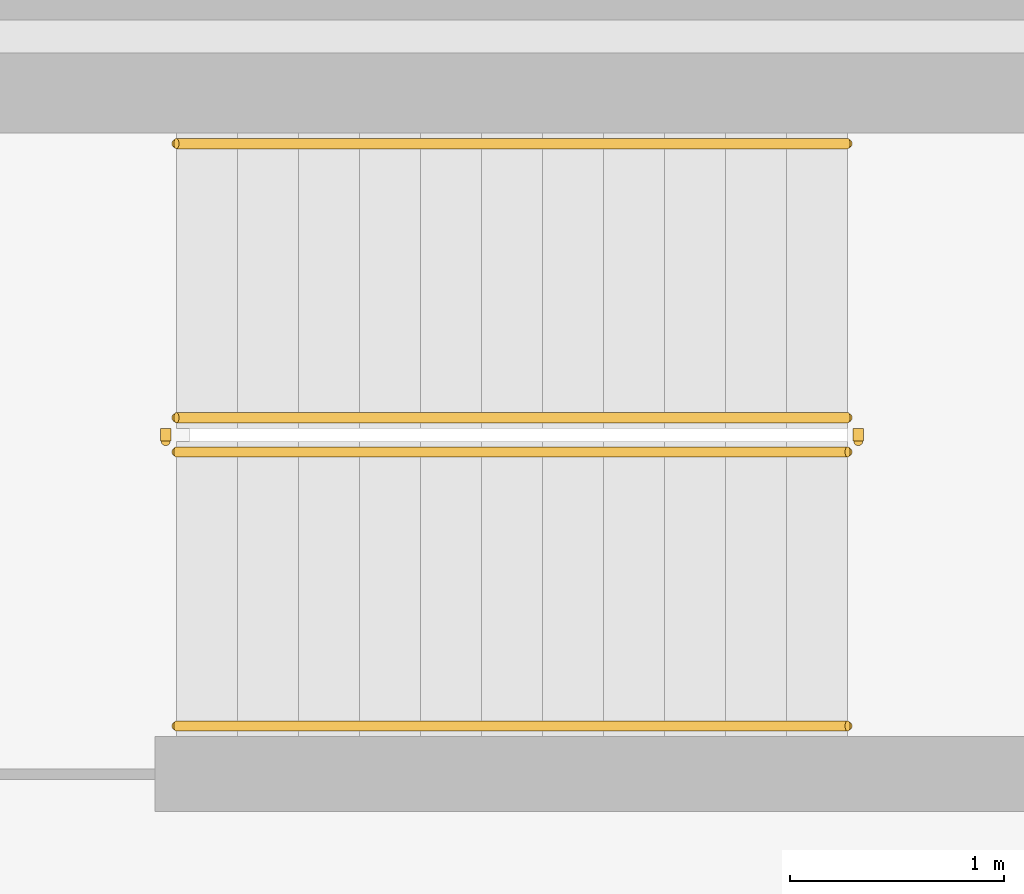
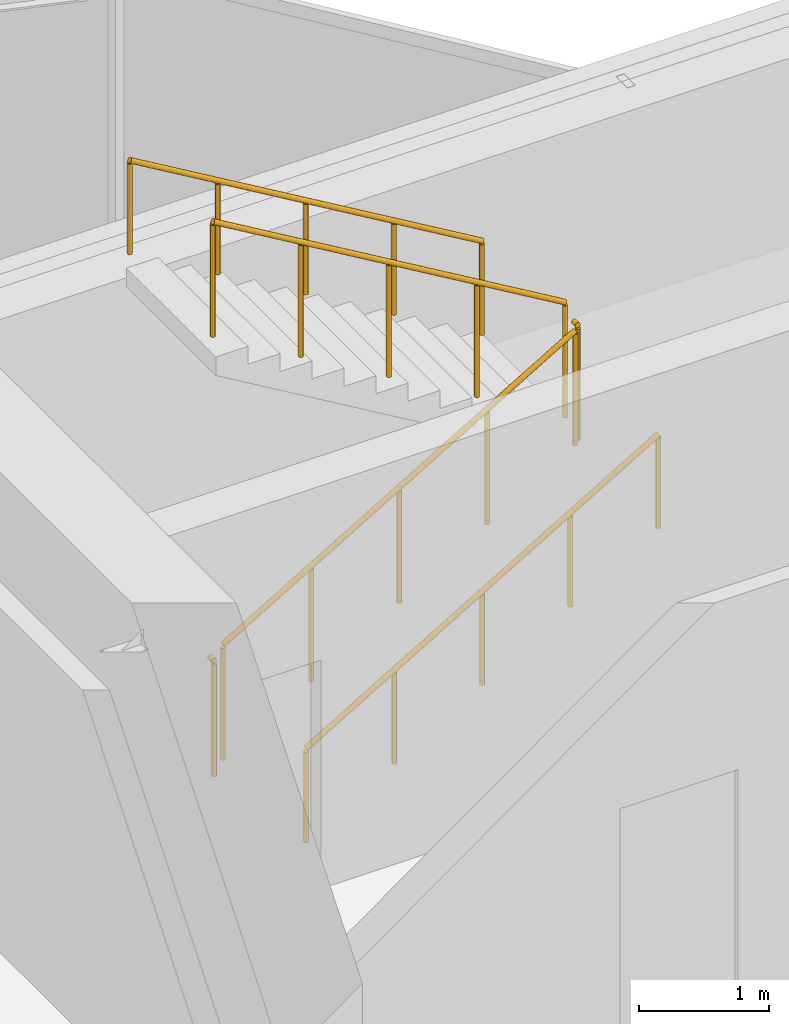
# One storey, part 21 of 21: 6 railings.
"""IFC4 building model written with IfcOpenShell, lengths in metres."""

from ifc_helpers import new_model, si_unit, direction, frame, origin, origin_2d, place, context, subcontext, project, spatial, circle, extrude, material, type_object, element, save


model = new_model("IFC4")

# Units and contexts
model_context = context("Model", 3, precision=1e-05, world=origin(), true_north=direction((0.0, 1.0)))
body_context = subcontext(model_context, "Body", "Model", "MODEL_VIEW")
ifc_project = project(units=[si_unit("LENGTHUNIT", "METRE"), si_unit("AREAUNIT", "SQUARE_METRE"), si_unit("VOLUMEUNIT", "CUBIC_METRE"), si_unit("PLANEANGLEUNIT", "RADIAN"), si_unit("MASSUNIT", "GRAM", prefix="KILO")], contexts=[model_context])

# Site, building, storey
site_placement = place(None, origin())
site = spatial("IfcSite", under=ifc_project, at=site_placement, CompositionType="ELEMENT")
building_placement = place(site_placement, origin())
building = spatial("IfcBuilding", under=site, at=building_placement, Name="Veymaron Broadcast Tower", CompositionType="ELEMENT")
storey_placement = place(building_placement, frame((0.0, 0.0, 240.449951171875)))
storey = spatial("IfcBuildingStorey", under=building, at=storey_placement, Name="L56", CompositionType="ELEMENT", Elevation=240.449951171875)

# Railings
ifc_material_1 = material(Name="Brushed stainless steel AISI 304", Category="steel")
railing_type_1 = type_object("IfcRailingType", Name="RAIL-STAIR-HR", PredefinedType="HANDRAIL", material=ifc_material_1)
railing_1_placement = place(storey_placement, frame((41.429931640625, 28.780029296875, 0.168701171875)))
element("IfcRailing", 1, at=railing_1_placement, inside=storey, type_object=railing_type_1, Name="L56 ST1 stair handrail 1", PredefinedType="HANDRAIL", context=body_context, shape_type="SweptSolid", body=[
    extrude(circle(Radius=0.02392578125, at=origin_2d()), frame((0.0, 0.0, 0.8759765625), z_axis=(0.860452582533, 0.0, 0.509530522356), x_axis=(0.0, 1.0, 0.0)), (0.0, 0.0, 1.0), 3.6435546875),
    extrude(circle(Radius=0.02099609375, at=origin_2d()), origin(), (0.0, 0.0, 1.0), 0.851806640625),
    extrude(circle(Radius=0.02099609375, at=origin_2d()), frame((0.78369140625, 0.0, 0.464111328125)), (0.0, 0.0, 1.0), 0.851806640625),
    extrude(circle(Radius=0.02099609375, at=origin_2d()), frame((1.5673828125, 0.0, 0.92822265625)), (0.0, 0.0, 1.0), 0.851806640625),
    extrude(circle(Radius=0.02099609375, at=origin_2d()), frame((2.351318359375, 0.0, 1.392333984375)), (0.0, 0.0, 1.0), 0.851806640625),
    extrude(circle(Radius=0.02099609375, at=origin_2d()), frame((3.135009765625, 0.0, 1.8564453125)), (0.0, 0.0, 1.0), 0.851806640625),
])
railing_2_placement = place(storey_placement, frame((44.56494140625, 31.5, 2.19384765625)))
element("IfcRailing", 2, at=railing_2_placement, inside=storey, type_object=railing_type_1, Name="L56 ST1 stair handrail 2", PredefinedType="HANDRAIL", context=body_context, shape_type="SweptSolid", body=[
    extrude(circle(Radius=0.02392578125, at=origin_2d()), frame((0.0, 0.0, 0.8759765625), z_axis=(-0.860481960309, 0.0, 0.509480908359), x_axis=(0.0, -1.0, 0.0)), (0.0, 0.0, 1.0), 3.643310546875),
    extrude(circle(Radius=0.02099609375, at=origin_2d()), origin(), (0.0, 0.0, 1.0), 0.851806640625),
    extrude(circle(Radius=0.02099609375, at=origin_2d()), frame((-0.78369140625, 0.0, 0.464111328125)), (0.0, 0.0, 1.0), 0.851806640625),
    extrude(circle(Radius=0.02099609375, at=origin_2d()), frame((-1.5673828125, 0.0, 0.92822265625)), (0.0, 0.0, 1.0), 0.851806640625),
    extrude(circle(Radius=0.02099609375, at=origin_2d()), frame((-2.351318359375, 0.0, 1.39208984375)), (0.0, 0.0, 1.0), 0.851806640625),
    extrude(circle(Radius=0.02099609375, at=origin_2d()), frame((-3.135009765625, 0.0, 1.856201171875)), (0.0, 0.0, 1.0), 0.851806640625),
])
ifc_material_2 = material(Name="Painted galvanized steel balustrade", Category="steel")
railing_type_2 = type_object("IfcRailingType", Name="RAIL-WELL-GRD", PredefinedType="GUARDRAIL", material=ifc_material_2)
railing_3_placement = place(storey_placement, frame((41.429931640625, 30.06005859375, 0.168701171875)))
element("IfcRailing", 3, at=railing_3_placement, inside=storey, type_object=railing_type_2, Name="L56 ST1 stair guard 1", PredefinedType="GUARDRAIL", context=body_context, shape_type="SweptSolid", body=[
    extrude(circle(Radius=0.02392578125, at=origin_2d()), frame((0.0, 0.0, 1.076171875), z_axis=(0.860452582533, 0.0, 0.509530522356), x_axis=(0.0, 1.0, 0.0)), (0.0, 0.0, 1.0), 3.6435546875),
    extrude(circle(Radius=0.02099609375, at=origin_2d()), origin(), (0.0, 0.0, 1.0), 1.052001953125),
    extrude(circle(Radius=0.02099609375, at=origin_2d()), frame((0.78369140625, 0.0, 0.464111328125)), (0.0, 0.0, 1.0), 1.052001953125),
    extrude(circle(Radius=0.02099609375, at=origin_2d()), frame((1.5673828125, 0.0, 0.92822265625)), (0.0, 0.0, 1.0), 1.052001953125),
    extrude(circle(Radius=0.02099609375, at=origin_2d()), frame((2.351318359375, 0.0, 1.392333984375)), (0.0, 0.0, 1.0), 1.052001953125),
    extrude(circle(Radius=0.02099609375, at=origin_2d()), frame((3.135009765625, 0.0, 1.8564453125)), (0.0, 0.0, 1.0), 1.052001953125),
])
railing_4_placement = place(storey_placement, frame((44.614990234375, 30.110107421875, 2.025146484375)))
element("IfcRailing", 4, at=railing_4_placement, inside=storey, type_object=railing_type_2, Name="L56 ST1 stair guard 2", PredefinedType="GUARDRAIL", context=body_context, shape_type="SweptSolid", body=[
    extrude(circle(Radius=0.02392578125, at=origin_2d()), frame((0.0, 0.0, 1.076171875), z_axis=(0.0, 1.0, 0.0), x_axis=(-1.0, 0.0, 0.0)), (0.0, 0.0, 1.0), 0.059814453125),
    extrude(circle(Radius=0.02099609375, at=origin_2d()), origin(), (0.0, 0.0, 1.0), 1.052001953125),
])
railing_5_placement = place(storey_placement, frame((44.56494140625, 30.219970703125, 2.19384765625)))
element("IfcRailing", 5, at=railing_5_placement, inside=storey, type_object=railing_type_2, Name="L56 ST1 stair guard 3", PredefinedType="GUARDRAIL", context=body_context, shape_type="SweptSolid", body=[
    extrude(circle(Radius=0.02392578125, at=origin_2d()), frame((0.0, 0.0, 1.076171875), z_axis=(-0.860481960309, 0.0, 0.509480908359), x_axis=(0.0, -1.0, 0.0)), (0.0, 0.0, 1.0), 3.643310546875),
    extrude(circle(Radius=0.02099609375, at=origin_2d()), origin(), (0.0, 0.0, 1.0), 1.052001953125),
    extrude(circle(Radius=0.02099609375, at=origin_2d()), frame((-0.78369140625, 0.0, 0.464111328125)), (0.0, 0.0, 1.0), 1.052001953125),
    extrude(circle(Radius=0.02099609375, at=origin_2d()), frame((-1.5673828125, 0.0, 0.92822265625)), (0.0, 0.0, 1.0), 1.052001953125),
    extrude(circle(Radius=0.02099609375, at=origin_2d()), frame((-2.351318359375, 0.0, 1.39208984375)), (0.0, 0.0, 1.0), 1.052001953125),
    extrude(circle(Radius=0.02099609375, at=origin_2d()), frame((-3.135009765625, 0.0, 1.856201171875)), (0.0, 0.0, 1.0), 1.052001953125),
])
railing_6_placement = place(storey_placement, frame((41.3798828125, 30.110107421875, 0.0)))
element("IfcRailing", 6, at=railing_6_placement, inside=storey, type_object=railing_type_2, Name="L56 ST1 stair guard 4", PredefinedType="GUARDRAIL", context=body_context, shape_type="SweptSolid", body=[
    extrude(circle(Radius=0.02392578125, at=origin_2d()), frame((0.0, 0.0, 1.076171875), z_axis=(0.0, 1.0, 0.0), x_axis=(-1.0, 0.0, 0.0)), (0.0, 0.0, 1.0), 0.059814453125),
    extrude(circle(Radius=0.02099609375, at=origin_2d()), origin(), (0.0, 0.0, 1.0), 1.052001953125),
])

save(model, "model.ifc")
